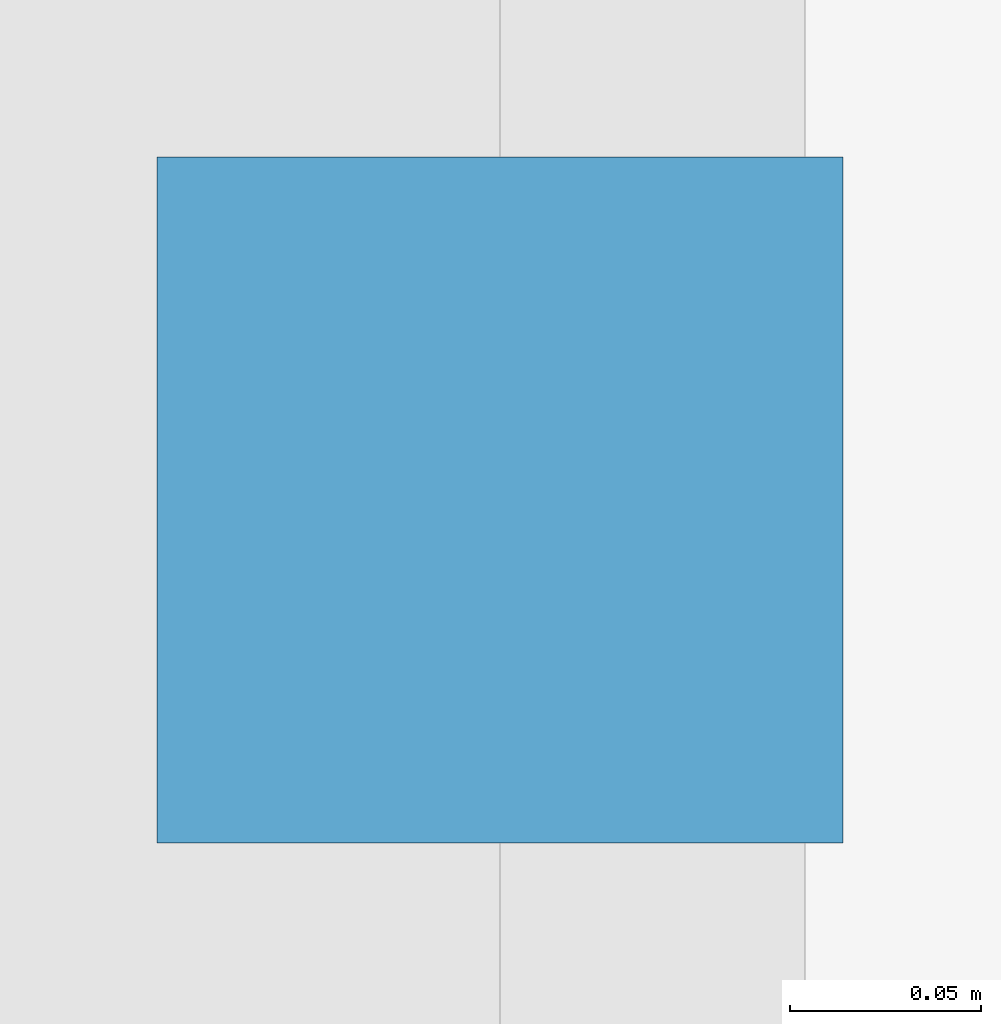
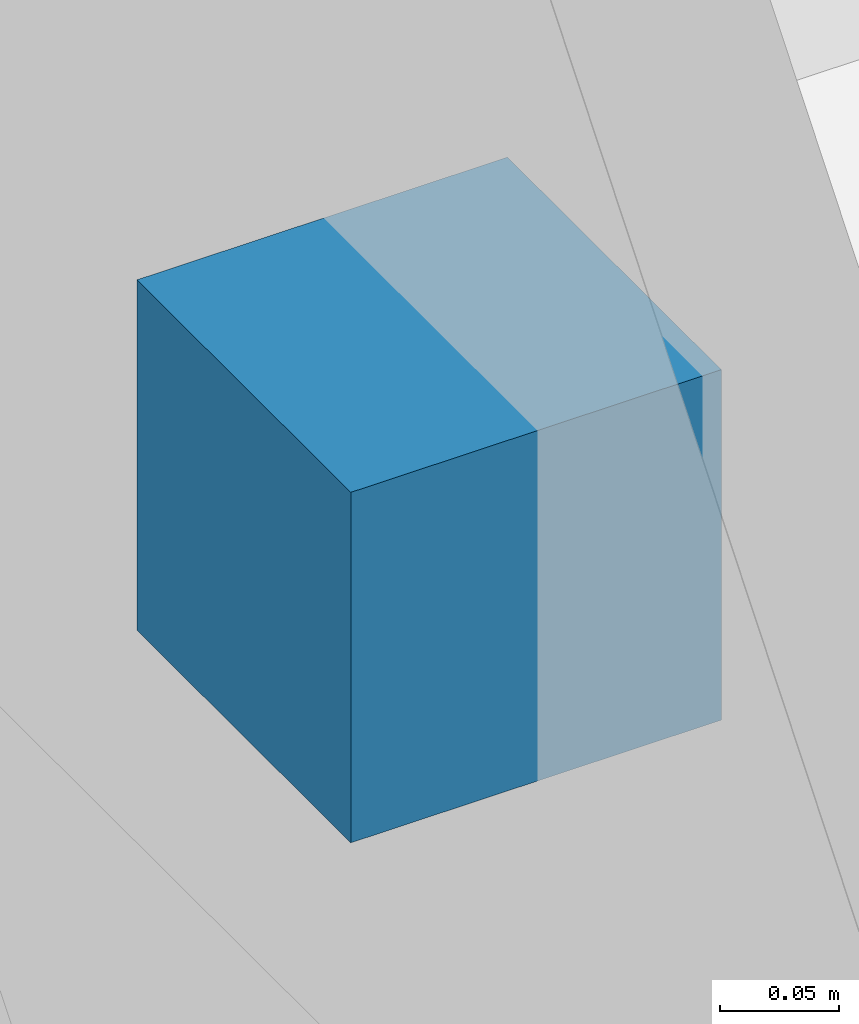
# One storey, part 36 of 45: 1 discrete accessory.
"""IFC4 building model written with IfcOpenShell, lengths in metres."""

from ifc_helpers import new_model, si_unit, direction, frame, origin, origin_2d, place, context, subcontext, project, spatial, rectangle, extrude, material, type_object, element, save


model = new_model("IFC4")

# Units and contexts
model_context = context("Model", 3, precision=1e-05, world=origin(), true_north=direction((0.0, 1.0)))
body_context = subcontext(model_context, "Body", "Model", "MODEL_VIEW")
ifc_project = project(units=[si_unit("LENGTHUNIT", "METRE"), si_unit("AREAUNIT", "SQUARE_METRE"), si_unit("VOLUMEUNIT", "CUBIC_METRE"), si_unit("PLANEANGLEUNIT", "RADIAN"), si_unit("MASSUNIT", "GRAM", prefix="KILO")], contexts=[model_context])

# Site, building, storey
site_placement = place(None, origin())
site = spatial("IfcSite", under=ifc_project, at=site_placement, CompositionType="ELEMENT")
building_placement = place(site_placement, origin())
building = spatial("IfcBuilding", under=site, at=building_placement, Name="Qorikala Patio Media Centre", CompositionType="ELEMENT")
storey_placement = place(building_placement, frame((0.0, 0.0, 9.89990234375)))
storey = spatial("IfcBuildingStorey", under=building, at=storey_placement, Name="L02", CompositionType="ELEMENT", Elevation=9.89990234375)

# Discrete accessory
ifc_material = material(Name="Steel S355", Category="steel")
discrete_accessory_type = type_object("IfcDiscreteAccessoryType", Name="ACC-BRACKET", PredefinedType="BRACKET", material=ifc_material)
discrete_accessory_placement = place(storey_placement, frame((138.159912109375, 23.0, 2.91015625), z_axis=(0.0, 0.0, 1.0), x_axis=(0.0, -1.0, 0.0)))
element("IfcDiscreteAccessory", 1, at=discrete_accessory_placement, inside=storey, type_object=discrete_accessory_type, Name="L02 Louvre Support Bracket 012", PredefinedType="BRACKET", context=body_context, shape_type="SweptSolid", body=[
    extrude(rectangle(XDim=0.179931640625, YDim=0.179931640625, at=origin_2d()), origin(), (0.0, 0.0, 1.0), 0.179931640625),
])

save(model, "model.ifc")
